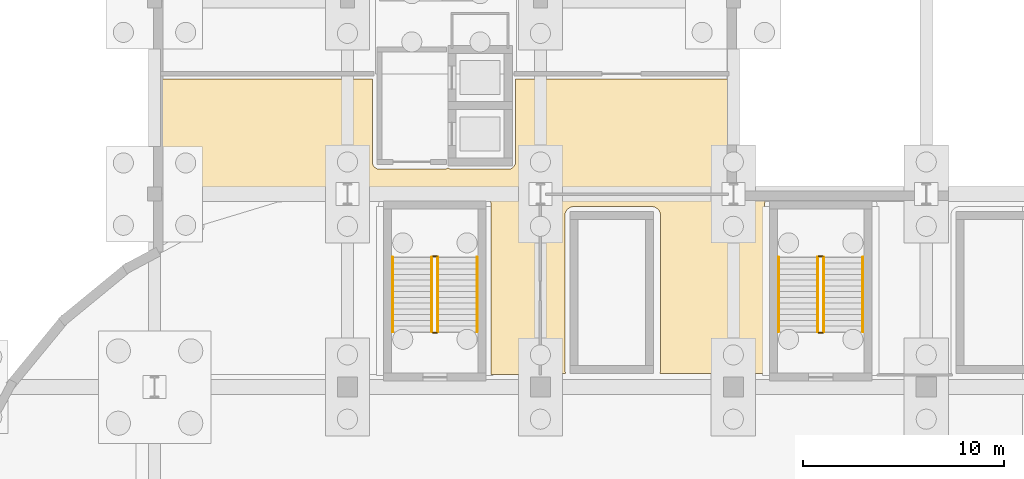
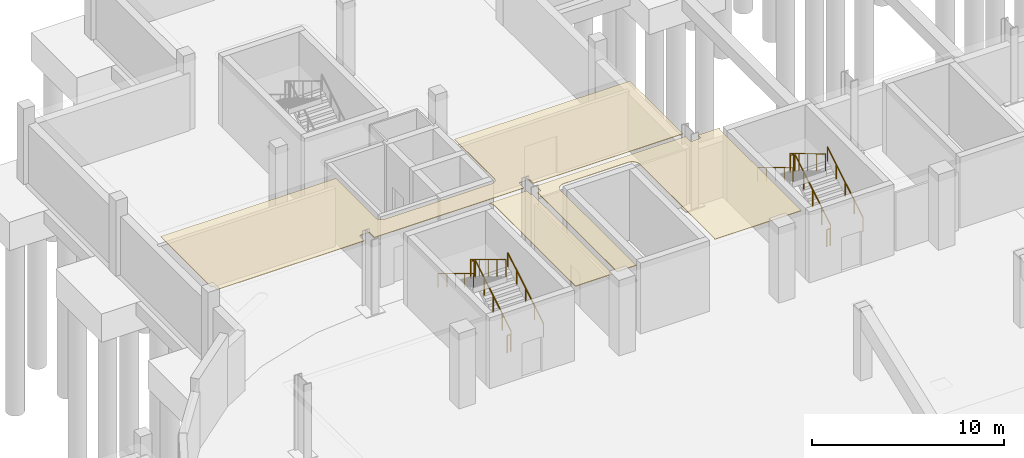
# One storey, part 53 of 67: 12 railings, 3 coverings.
"""IFC4 building model written with IfcOpenShell, lengths in metres."""

import ifcopenshell
import ifcopenshell.guid

model = None  # the IFC model being written
_history = None  # IfcOwnerHistory: only IFC2X3 demands one
_inside = {}  # id of a spatial element -> (the spatial element, [elements in it])
_under = {}  # id of a project, library or spatial element -> (it, [spatial elements below it])
_declared = {}  # id of a project -> (the project, [libraries it declares])
_typed = {}  # id of a type object -> (the type object, [elements of that type])
_made_of = {}  # id of a material, layer set ... -> (it, [elements and type objects made of it])


def new_model(schema):
    """Start an empty IFC model of exactly this schema.

    Asked for "IFC4X3", IfcOpenShell would pick the latest addendum, in which some entities
    have other attributes; the version numbers below select the first issue.
    IFC2X3 requires an IfcOwnerHistory on every rooted entity: one is made here for all.
    """
    global model, _history
    if schema == "IFC4X3":
        model = ifcopenshell.file(schema_version=(4, 3, 0, 0))
    else:
        model = ifcopenshell.file(schema=schema)
    _inside.clear()
    _under.clear()
    _declared.clear()
    _typed.clear()
    _made_of.clear()
    _history = None
    if model.schema == "IFC2X3":
        org = make("IfcOrganization", Name="unknown")
        user = make(
            "IfcPersonAndOrganization",
            ThePerson=make("IfcPerson", FamilyName="unknown"),
            TheOrganization=org,
        )
        app = make(
            "IfcApplication",
            ApplicationDeveloper=org,
            Version="unknown",
            ApplicationFullName="unknown",
            ApplicationIdentifier="unknown",
        )
        _history = make(
            "IfcOwnerHistory",
            OwningUser=user,
            OwningApplication=app,
            ChangeAction="ADDED",
            CreationDate=0,
        )
    return model


def make(cls, **values):
    """One entity of the class cls with the attributes given. An attribute that is None is left unset."""
    return model.create_entity(
        cls, **{name: value for name, value in values.items() if value is not None}
    )


def rooted(cls, **values):
    """An entity with a GlobalId (a new one), such as an element, a storey or a relation."""
    return make(cls, GlobalId=ifcopenshell.guid.new(), OwnerHistory=_history, **values)


def si_unit(unit_type, name, prefix=None):
    """IfcSIUnit, for example si_unit("LENGTHUNIT", "METRE", prefix="MILLI")."""
    return make("IfcSIUnit", UnitType=unit_type, Prefix=prefix, Name=name)


def assignment(units):
    """IfcUnitAssignment: the units of a project."""
    return None if units is None else make("IfcUnitAssignment", Units=units)


def point(xyz):
    """IfcCartesianPoint."""
    return None if xyz is None else make("IfcCartesianPoint", Coordinates=xyz)


def direction(xyz):
    """IfcDirection."""
    return None if xyz is None else make("IfcDirection", DirectionRatios=xyz)


def frame(location, z_axis=None, x_axis=None):
    """IfcAxis2Placement3D, a coordinate frame: its origin and axes. An axis left out is left unset."""
    return make(
        "IfcAxis2Placement3D",
        Location=point(location),
        Axis=direction(z_axis),
        RefDirection=direction(x_axis),
    )


def frame_2d(location, x_axis=None):
    """IfcAxis2Placement2D, a coordinate frame in the plane: its origin and x axis."""
    return make(
        "IfcAxis2Placement2D", Location=point(location), RefDirection=direction(x_axis)
    )


def origin():
    """The frame at (0, 0, 0) with its axes left unset."""
    return frame((0.0, 0.0, 0.0))


def origin_2d():
    """The frame at (0, 0) in the plane with its x axis left unset."""
    return frame_2d((0.0, 0.0))


def place(relative_to, where):
    """IfcLocalPlacement: puts the frame where relative to a parent placement (None: the world)."""
    return make(
        "IfcLocalPlacement", PlacementRelTo=relative_to, RelativePlacement=where
    )


def context(
    kind, dimensions, precision=None, world=None, true_north=None, identifier=None
):
    """IfcGeometricRepresentationContext, for example the 3D "Model" context."""
    return make(
        "IfcGeometricRepresentationContext",
        ContextIdentifier=identifier,
        ContextType=kind,
        CoordinateSpaceDimension=dimensions,
        Precision=precision,
        WorldCoordinateSystem=world,
        TrueNorth=true_north,
    )


def subcontext(parent, identifier, kind, view, scale=None):
    """IfcGeometricRepresentationSubContext, for example "Body" below "Model"."""
    return make(
        "IfcGeometricRepresentationSubContext",
        ContextIdentifier=identifier,
        ContextType=kind,
        ParentContext=parent,
        TargetScale=scale,
        TargetView=view,
    )


def project(units=None, contexts=None):
    """IfcProject with its units and contexts."""
    return rooted(
        "IfcProject",
        Name="project",
        RepresentationContexts=contexts,
        UnitsInContext=assignment(units),
    )


def spatial(cls, under=None, at=None, **own):
    """A site, building, storey or space (cls), placed at a placement, below another one or the project."""
    s = rooted(cls, ObjectPlacement=at, **own)
    if under is not None:
        _under.setdefault(under.id(), (under, []))[1].append(s)
    return s


def polyline(points):
    """IfcPolyline through the points."""
    return make("IfcPolyline", Points=[point(p) for p in points])


def profile(cls, at=None, kind="AREA", **sizes):
    """A parametric profile (cls). Its sizes go by their IFC names, for example OverallWidth=200.0."""
    return make(cls, ProfileType=kind, Position=at, **sizes)


def circle(**sizes):
    """IfcCircleProfileDef."""
    return profile("IfcCircleProfileDef", **sizes)


def outline(outer, holes=None, kind="AREA"):
    """IfcArbitraryClosedProfileDef: a profile drawn as a closed curve; with holes, ...WithVoids."""
    if holes is None:
        return make("IfcArbitraryClosedProfileDef", ProfileType=kind, OuterCurve=outer)
    return make(
        "IfcArbitraryProfileDefWithVoids",
        ProfileType=kind,
        OuterCurve=outer,
        InnerCurves=holes,
    )


def extrude(swept, where, along, depth):
    """IfcExtrudedAreaSolid: the profile swept, set in the frame where, extruded along a direction by depth."""
    return make(
        "IfcExtrudedAreaSolid",
        SweptArea=swept,
        Position=where,
        ExtrudedDirection=direction(along),
        Depth=depth,
    )


def shape(context_of_items, identifier, shape_type, items):
    """IfcShapeRepresentation: the items that make up one representation, for example the "Body"."""
    return make(
        "IfcShapeRepresentation",
        ContextOfItems=context_of_items,
        RepresentationIdentifier=identifier,
        RepresentationType=shape_type,
        Items=items,
    )


def material(Name=None, Category=None):
    """IfcMaterial."""
    return make("IfcMaterial", Name=Name, Category=Category)


def layer(
    of_material, thickness, ventilated=None, Name=None, Category=None, Priority=None
):
    """IfcMaterialLayer: one layer of a wall or slab, of a material (None: an air gap)."""
    return make(
        "IfcMaterialLayer",
        Material=of_material,
        LayerThickness=thickness,
        IsVentilated=ventilated,
        Name=Name,
        Category=Category,
        Priority=Priority,
    )


def layer_set(layers, Name=None):
    """IfcMaterialLayerSet."""
    return make("IfcMaterialLayerSet", MaterialLayers=layers, LayerSetName=Name)


def made_of(thing, what):
    """Note that an element or type object is made of a material, layer set ...; save() writes the relation."""
    if what is not None:
        _made_of.setdefault(what.id(), (what, []))[1].append(thing)
    return thing


def type_object(cls, material=None, **own):
    """A type object (cls), such as IfcWallType, which elements share."""
    return made_of(rooted(cls, **own), material)


def element(
    cls,
    number,
    at=None,
    inside=None,
    cuts=None,
    type_object=None,
    material=None,
    context=None,
    identifier="Body",
    shape_type=None,
    held_by="IfcProductDefinitionShape",
    body=None,
    shapes=None,
    **own,
):
    """One element of the class cls, such as IfcWall. Its Tag is "e" and its number.

    at: its placement. inside: the storey or other place that contains it. cuts: it is an
    opening in that element (IfcRelVoidsElement). A single representation is given by context,
    identifier, shape_type and body (its items); several are given by shapes. held_by: the class
    of the entity that holds the representations. save() writes the other relations.
    """
    e = rooted(cls, Tag="e%d" % number, ObjectPlacement=at, **own)
    if body is not None:
        shapes = [shape(context, identifier, shape_type, body)]
    if shapes is not None:
        e.Representation = make(held_by, Representations=shapes)
    if inside is not None:
        _inside.setdefault(inside.id(), (inside, []))[1].append(e)
    if cuts is not None:
        rooted(
            "IfcRelVoidsElement", RelatingBuildingElement=cuts, RelatedOpeningElement=e
        )
    if type_object is not None:
        _typed.setdefault(type_object.id(), (type_object, []))[1].append(e)
    return made_of(e, material)


def aggregate(whole, parts):
    """IfcRelAggregates: a whole, such as a stair, and the parts it consists of."""
    return rooted("IfcRelAggregates", RelatingObject=whole, RelatedObjects=parts)


def save(model, path):
    """Write the relations noted so far, then the file.

    IfcRelAggregates (storeys below a building ...), IfcRelContainedInSpatialStructure (elements
    in a storey), IfcRelDefinesByType, IfcRelAssociatesMaterial and IfcRelDeclares: one each for
    every whole, place, type object, material and project.
    """
    for whole, parts in _under.values():
        aggregate(whole, parts)
    for where, things in _inside.values():
        rooted(
            "IfcRelContainedInSpatialStructure",
            RelatedElements=things,
            RelatingStructure=where,
        )
    for kind, things in _typed.values():
        rooted("IfcRelDefinesByType", RelatedObjects=things, RelatingType=kind)
    for what, things in _made_of.values():
        rooted("IfcRelAssociatesMaterial", RelatedObjects=things, RelatingMaterial=what)
    for by, libraries in _declared.values():
        rooted("IfcRelDeclares", RelatingContext=by, RelatedDefinitions=libraries)
    model.write(path)


model = new_model("IFC4")

# Units and contexts
model_context = context("Model", 3, precision=1e-05, world=origin(), true_north=direction((0.0, 1.0)))
body_context = subcontext(model_context, "Body", "Model", "MODEL_VIEW")
ifc_project = project(units=[si_unit("LENGTHUNIT", "METRE"), si_unit("AREAUNIT", "SQUARE_METRE"), si_unit("VOLUMEUNIT", "CUBIC_METRE"), si_unit("PLANEANGLEUNIT", "RADIAN"), si_unit("MASSUNIT", "GRAM", prefix="KILO")], contexts=[model_context])

# Site, building, storey
site_placement = place(None, origin())
site = spatial("IfcSite", under=ifc_project, at=site_placement, CompositionType="ELEMENT")
building_placement = place(site_placement, origin())
building = spatial("IfcBuilding", under=site, at=building_placement, Name="Caelomonte Colonnade Arena", CompositionType="ELEMENT")
storey_placement = place(building_placement, frame((0.0, 0.0, -4.800048828125)))
storey = spatial("IfcBuildingStorey", under=building, at=storey_placement, Name="B1", CompositionType="ELEMENT", Elevation=-4.800048828125)

# Coverings
ifc_material_1 = material(Name="Perforated acoustic mineral-fibre ceiling")
ifc_layer = layer(ifc_material_1, 0.0400390625)
ifc_layer_set = layer_set([ifc_layer], Name="Perforated acoustic mineral-fibre ceiling")
covering_type = type_object("IfcCoveringType", Name="INT-CV-CEIL1", PredefinedType="CEILING", material=ifc_layer_set)
covering_1_placement = place(storey_placement, frame((0.0, 0.0, 4.420166015625)))
element("IfcCovering", 1, at=covering_1_placement, inside=storey, type_object=covering_type, Name="B1 Backstage Rigging Staging acoustic ceiling", PredefinedType="CEILING", context=body_context, shape_type="SweptSolid", body=[
    extrude(outline(polyline([(86.47998046875, 106.280029296875), (87.66259765625, 106.280029296875), (87.654296875, 106.2978515625), (87.639404296875, 106.33935546875), (87.628662109375, 106.382080078125), (87.622314453125, 106.42578125), (87.6201171875, 106.469970703125), (87.6201171875, 114.1298828125), (87.622314453125, 114.174072265625), (87.628662109375, 114.2177734375), (87.639404296875, 114.260498046875), (87.654296875, 114.30224609375), (87.673095703125, 114.342041015625), (87.69580078125, 114.3798828125), (87.72216796875, 114.41552734375), (87.751708984375, 114.4482421875), (87.784423828125, 114.477783203125), (87.820068359375, 114.504150390625), (87.85791015625, 114.52685546875), (87.897705078125, 114.545654296875), (87.939453125, 114.560546875), (87.982177734375, 114.5712890625), (88.02587890625, 114.577880859375), (88.070068359375, 114.580078125), (91.830078125, 114.580078125), (91.929931640625, 114.580078125), (91.97412109375, 114.577880859375), (92.017822265625, 114.5712890625), (92.060546875, 114.560546875), (92.102294921875, 114.545654296875), (92.14208984375, 114.52685546875), (92.179931640625, 114.504150390625), (92.215576171875, 114.477783203125), (92.248291015625, 114.4482421875), (92.27783203125, 114.41552734375), (92.30419921875, 114.3798828125), (92.326904296875, 114.342041015625), (92.345703125, 114.30224609375), (92.360595703125, 114.260498046875), (92.371337890625, 114.2177734375), (92.377685546875, 114.174072265625), (92.3798828125, 114.1298828125), (92.3798828125, 106.469970703125), (92.377685546875, 106.42578125), (92.371337890625, 106.382080078125), (92.360595703125, 106.33935546875), (92.345703125, 106.2978515625), (92.33740234375, 106.280029296875), (97.550048828125, 106.280029296875), (97.550048828125, 114.64990234375), (97.55224609375, 114.694091796875), (97.55859375, 114.73779296875), (97.5693359375, 114.780517578125), (97.584228515625, 114.822265625), (97.60302734375, 114.862060546875), (97.625732421875, 114.89990234375), (96.30859375, 114.89990234375), (96.30859375, 114.664306640625), (96.30810546875, 114.656494140625), (96.306884765625, 114.648681640625), (96.30517578125, 114.64111328125), (96.302490234375, 114.6337890625), (96.299072265625, 114.626708984375), (96.294921875, 114.619873046875), (96.290283203125, 114.613525390625), (96.28515625, 114.607666015625), (96.279296875, 114.6025390625), (96.27294921875, 114.597900390625), (96.26611328125, 114.59375), (96.259033203125, 114.59033203125), (96.251708984375, 114.587646484375), (96.244140625, 114.585693359375), (96.236328125, 114.584716796875), (96.228515625, 114.584228515625), (95.771484375, 114.584228515625), (95.763671875, 114.584716796875), (95.755859375, 114.585693359375), (95.748291015625, 114.587646484375), (95.740966796875, 114.59033203125), (95.73388671875, 114.59375), (95.72705078125, 114.597900390625), (95.720703125, 114.6025390625), (95.71484375, 114.607666015625), (95.709716796875, 114.613525390625), (95.705078125, 114.619873046875), (95.700927734375, 114.626708984375), (95.697509765625, 114.6337890625), (95.69482421875, 114.64111328125), (95.693115234375, 114.648681640625), (95.69189453125, 114.656494140625), (95.69140625, 114.664306640625), (95.69140625, 115.1201171875), (86.70849609375, 115.1201171875), (86.70849609375, 114.664306640625), (86.7080078125, 114.656494140625), (86.70703125, 114.648681640625), (86.705078125, 114.64111328125), (86.702392578125, 114.6337890625), (86.69921875, 114.626708984375), (86.695068359375, 114.619873046875), (86.690185546875, 114.613525390625), (86.68505859375, 114.607666015625), (86.67919921875, 114.6025390625), (86.6728515625, 114.597900390625), (86.666259765625, 114.59375), (86.6591796875, 114.59033203125), (86.651611328125, 114.587646484375), (86.64404296875, 114.585693359375), (86.63623046875, 114.584716796875), (86.62841796875, 114.584228515625), (86.47998046875, 114.584228515625), (86.47998046875, 106.280029296875)])), origin(), (0.0, 0.0, 1.0), 0.039794921875),
])
covering_2_placement = place(storey_placement, frame((0.0, 0.0, 4.420166015625)))
element("IfcCovering", 2, at=covering_2_placement, inside=storey, type_object=covering_type, Name="B1 North Service Concourse acoustic ceiling", PredefinedType="CEILING", context=body_context, shape_type="SweptSolid", body=[
    extrude(outline(polyline([(67.5, 120.919921875), (67.5, 115.64501953125), (67.56494140625, 115.64501953125), (67.57275390625, 115.64453125), (67.58056640625, 115.6435546875), (67.588134765625, 115.6416015625), (67.595703125, 115.638916015625), (67.602783203125, 115.635498046875), (67.609375, 115.631591796875), (67.61572265625, 115.626708984375), (67.62158203125, 115.62158203125), (67.626708984375, 115.61572265625), (67.631591796875, 115.609375), (67.635498046875, 115.602783203125), (67.638916015625, 115.595703125), (67.6416015625, 115.588134765625), (67.6435546875, 115.58056640625), (67.64453125, 115.57275390625), (67.64501953125, 115.56494140625), (67.64501953125, 115.280029296875), (76.491455078125, 115.280029296875), (76.491455078125, 115.735595703125), (76.491943359375, 115.743408203125), (76.492919921875, 115.751220703125), (76.494873046875, 115.7587890625), (76.49755859375, 115.766357421875), (76.5009765625, 115.7734375), (76.5048828125, 115.780029296875), (76.509765625, 115.78662109375), (76.514892578125, 115.792236328125), (76.520751953125, 115.797607421875), (76.527099609375, 115.80224609375), (76.53369140625, 115.806396484375), (76.541015625, 115.8095703125), (76.54833984375, 115.812255859375), (76.555908203125, 115.814208984375), (76.563720703125, 115.815185546875), (76.571533203125, 115.815673828125), (77.028564453125, 115.815673828125), (77.036376953125, 115.815185546875), (77.044189453125, 115.814208984375), (77.0517578125, 115.812255859375), (77.05908203125, 115.8095703125), (77.066162109375, 115.806396484375), (77.072998046875, 115.80224609375), (77.079345703125, 115.797607421875), (77.085205078125, 115.792236328125), (77.09033203125, 115.78662109375), (77.094970703125, 115.780029296875), (77.09912109375, 115.7734375), (77.102294921875, 115.766357421875), (77.10498046875, 115.7587890625), (77.10693359375, 115.751220703125), (77.108154296875, 115.743408203125), (77.1083984375, 115.735595703125), (77.1083984375, 115.280029296875), (86.091552734375, 115.280029296875), (86.091552734375, 115.735595703125), (86.091796875, 115.743408203125), (86.093017578125, 115.751220703125), (86.094970703125, 115.7587890625), (86.09765625, 115.766357421875), (86.100830078125, 115.7734375), (86.10498046875, 115.780029296875), (86.109619140625, 115.78662109375), (86.114990234375, 115.792236328125), (86.12060546875, 115.797607421875), (86.127197265625, 115.80224609375), (86.1337890625, 115.806396484375), (86.140869140625, 115.8095703125), (86.148193359375, 115.812255859375), (86.156005859375, 115.814208984375), (86.163818359375, 115.815185546875), (86.17138671875, 115.815673828125), (86.62841796875, 115.815673828125), (86.63623046875, 115.815185546875), (86.64404296875, 115.814208984375), (86.651611328125, 115.812255859375), (86.6591796875, 115.8095703125), (86.666259765625, 115.806396484375), (86.6728515625, 115.80224609375), (86.67919921875, 115.797607421875), (86.68505859375, 115.792236328125), (86.690185546875, 115.78662109375), (86.695068359375, 115.780029296875), (86.69921875, 115.7734375), (86.702392578125, 115.766357421875), (86.705078125, 115.7587890625), (86.70703125, 115.751220703125), (86.7080078125, 115.743408203125), (86.70849609375, 115.735595703125), (86.70849609375, 115.39990234375), (95.69140625, 115.39990234375), (95.69140625, 115.735595703125), (95.69189453125, 115.743408203125), (95.693115234375, 115.751220703125), (95.69482421875, 115.7587890625), (95.697509765625, 115.766357421875), (95.699951171875, 115.771484375), (95.699951171875, 120.919921875), (85.159912109375, 120.919921875), (85.159912109375, 116.800048828125), (85.159912109375, 116.796142578125), (85.15869140625, 116.7685546875), (85.15771484375, 116.7607421875), (85.15380859375, 116.733642578125), (85.152099609375, 116.725830078125), (85.1455078125, 116.69921875), (85.143310546875, 116.69189453125), (85.134033203125, 116.666015625), (85.131103515625, 116.65869140625), (85.119384765625, 116.6337890625), (85.115478515625, 116.626953125), (85.101318359375, 116.603271484375), (85.09716796875, 116.5966796875), (85.080810546875, 116.57470703125), (85.07568359375, 116.568603515625), (85.057373046875, 116.54833984375), (85.0517578125, 116.542724609375), (85.031494140625, 116.5244140625), (85.025390625, 116.519287109375), (85.003173828125, 116.5029296875), (84.99658203125, 116.49853515625), (84.97314453125, 116.484375), (84.96630859375, 116.480712890625), (84.94140625, 116.468994140625), (84.93408203125, 116.466064453125), (84.908203125, 116.456787109375), (84.900634765625, 116.45458984375), (84.8740234375, 116.44775390625), (84.866455078125, 116.4462890625), (84.839111328125, 116.442138671875), (84.831298828125, 116.44140625), (84.803955078125, 116.440185546875), (84.800048828125, 116.43994140625), (82.0, 116.43994140625), (81.99609375, 116.440185546875), (81.968505859375, 116.44140625), (81.960693359375, 116.442138671875), (81.93359375, 116.4462890625), (81.92578125, 116.44775390625), (81.8994140625, 116.45458984375), (81.891845703125, 116.456787109375), (81.865966796875, 116.466064453125), (81.858642578125, 116.468994140625), (81.833740234375, 116.480712890625), (81.826904296875, 116.484375), (81.80322265625, 116.49853515625), (81.800048828125, 116.500732421875), (81.796630859375, 116.49853515625), (81.773193359375, 116.484375), (81.76611328125, 116.480712890625), (81.741455078125, 116.468994140625), (81.734130859375, 116.466064453125), (81.708251953125, 116.456787109375), (81.70068359375, 116.45458984375), (81.674072265625, 116.44775390625), (81.66650390625, 116.4462890625), (81.63916015625, 116.442138671875), (81.63134765625, 116.44140625), (81.60400390625, 116.440185546875), (81.60009765625, 116.43994140625), (78.39990234375, 116.43994140625), (78.39599609375, 116.440185546875), (78.36865234375, 116.44140625), (78.36083984375, 116.442138671875), (78.33349609375, 116.4462890625), (78.325927734375, 116.44775390625), (78.29931640625, 116.45458984375), (78.291748046875, 116.456787109375), (78.265869140625, 116.466064453125), (78.258544921875, 116.468994140625), (78.23388671875, 116.480712890625), (78.226806640625, 116.484375), (78.203369140625, 116.49853515625), (78.19677734375, 116.5029296875), (78.1748046875, 116.519287109375), (78.168701171875, 116.5244140625), (78.148193359375, 116.542724609375), (78.142578125, 116.54833984375), (78.124267578125, 116.568603515625), (78.119384765625, 116.57470703125), (78.102783203125, 116.5966796875), (78.0986328125, 116.603271484375), (78.08447265625, 116.626953125), (78.080810546875, 116.6337890625), (78.069091796875, 116.65869140625), (78.06591796875, 116.666015625), (78.056640625, 116.69189453125), (78.054443359375, 116.69921875), (78.0478515625, 116.725830078125), (78.046142578125, 116.733642578125), (78.042236328125, 116.7607421875), (78.04150390625, 116.7685546875), (78.0400390625, 116.796142578125), (78.0400390625, 116.800048828125), (78.0400390625, 120.919921875), (67.5, 120.919921875)])), origin(), (0.0, 0.0, 1.0), 0.039794921875),
])
covering_3_placement = place(storey_placement, frame((0.0, 0.0, 4.420166015625)))
element("IfcCovering", 3, at=covering_3_placement, inside=storey, type_object=covering_type, Name="B1 B1 Concourse Gallery acoustic ceiling", PredefinedType="CEILING", context=body_context, shape_type="SweptSolid", body=[
    extrude(outline(polyline([(86.091552734375, 114.97998046875), (83.80517578125, 114.97998046875), (83.818115234375, 114.96826171875), (83.847900390625, 114.935546875), (83.874267578125, 114.89990234375), (83.89697265625, 114.862060546875), (83.915771484375, 114.822265625), (83.9306640625, 114.780517578125), (83.94140625, 114.73779296875), (83.94775390625, 114.694091796875), (83.949951171875, 114.64990234375), (83.949951171875, 106.219970703125), (85.885009765625, 106.219970703125), (85.886962890625, 106.219970703125), (85.887939453125, 106.219970703125), (85.889892578125, 106.219970703125), (85.901611328125, 106.21923828125), (85.905517578125, 106.218994140625), (85.907470703125, 106.21875), (85.911376953125, 106.21826171875), (85.923095703125, 106.216552734375), (85.927001953125, 106.2158203125), (85.928955078125, 106.215576171875), (85.9326171875, 106.214599609375), (85.944091796875, 106.2119140625), (85.947998046875, 106.210693359375), (85.94970703125, 106.210205078125), (85.95361328125, 106.208984375), (85.964599609375, 106.205078125), (85.96826171875, 106.20361328125), (85.97021484375, 106.202880859375), (85.9736328125, 106.201416015625), (85.984375, 106.1962890625), (85.98681640625, 106.195068359375), (86.18017578125, 106.195068359375), (86.18017578125, 106.195068359375), (86.179931640625, 106.197021484375), (86.179931640625, 106.197998046875), (86.179931640625, 106.199951171875), (86.179931640625, 114.584228515625), (86.17138671875, 114.584228515625), (86.163818359375, 114.584716796875), (86.156005859375, 114.585693359375), (86.148193359375, 114.587646484375), (86.140869140625, 114.59033203125), (86.1337890625, 114.59375), (86.127197265625, 114.597900390625), (86.12060546875, 114.6025390625), (86.114990234375, 114.607666015625), (86.109619140625, 114.613525390625), (86.10498046875, 114.619873046875), (86.100830078125, 114.626708984375), (86.09765625, 114.6337890625), (86.094970703125, 114.64111328125), (86.093017578125, 114.648681640625), (86.091796875, 114.656494140625), (86.091552734375, 114.664306640625), (86.091552734375, 114.97998046875)])), origin(), (0.0, 0.0, 1.0), 0.039794921875),
])

# Railings
ifc_material_2 = material(Name="Painted galvanized steel stair guard", Category="steel")
railing_type_1 = type_object("IfcRailingType", Name="INT-RL-GRD", PredefinedType="GUARDRAIL", material=ifc_material_2)
railing_1_placement = place(storey_placement, frame((81.300048828125, 108.35009765625, 0.17138671875)))
element("IfcRailing", 4, at=railing_1_placement, inside=storey, type_object=railing_type_1, Name="B1 ST-14 stair guard 1", PredefinedType="GUARDRAIL", context=body_context, shape_type="SweptSolid", body=[
    extrude(circle(Radius=0.02392578125, at=origin_2d()), frame((0.0, 0.0, 1.076171875), z_axis=(0.0, 0.856894455432, 0.515491893485), x_axis=(-1.0, 0.0, 0.0)), (0.0, 0.0, 1.0), 4.323486328125),
    extrude(circle(Radius=0.02099609375, at=origin_2d()), origin(), (0.0, 0.0, 1.0), 1.048095703125),
    extrude(circle(Radius=0.02099609375, at=origin_2d()), frame((0.0, 0.92626953125, 0.55712890625)), (0.0, 0.0, 1.0), 1.048095703125),
    extrude(circle(Radius=0.02099609375, at=origin_2d()), frame((0.0, 1.8525390625, 1.1142578125)), (0.0, 0.0, 1.0), 1.048095703125),
    extrude(circle(Radius=0.02099609375, at=origin_2d()), frame((0.0, 2.778564453125, 1.671630859375)), (0.0, 0.0, 1.0), 1.048095703125),
    extrude(circle(Radius=0.02099609375, at=origin_2d()), frame((0.0, 3.704833984375, 2.228759765625)), (0.0, 0.0, 1.0), 1.048095703125),
])
railing_2_placement = place(storey_placement, frame((81.25, 112.10498046875, 2.400146484375)))
element("IfcRailing", 5, at=railing_2_placement, inside=storey, type_object=railing_type_1, Name="B1 ST-14 stair guard 2", PredefinedType="GUARDRAIL", context=body_context, shape_type="SweptSolid", body=[
    extrude(circle(Radius=0.02392578125, at=origin_2d()), frame((0.0, 0.0, 1.076171875), z_axis=(-1.0, 0.0, 0.0), x_axis=(0.0, -1.0, 0.0)), (0.0, 0.0, 1.0), 0.199951171875),
    extrude(circle(Radius=0.02099609375, at=origin_2d()), origin(), (0.0, 0.0, 1.0), 1.048095703125),
    extrude(circle(Radius=0.02099609375, at=origin_2d()), frame((-0.199951171875, 0.0, 0.0)), (0.0, 0.0, 1.0), 1.048095703125),
])
railing_3_placement = place(storey_placement, frame((81.0, 112.054931640625, 2.571533203125)))
element("IfcRailing", 6, at=railing_3_placement, inside=storey, type_object=railing_type_1, Name="B1 ST-14 stair guard 3", PredefinedType="GUARDRAIL", context=body_context, shape_type="SweptSolid", body=[
    extrude(circle(Radius=0.02392578125, at=origin_2d()), frame((0.0, 0.0, 1.076171875), z_axis=(0.0, -0.856919398105, 0.515450429384), x_axis=(1.0, 0.0, 0.0)), (0.0, 0.0, 1.0), 4.323486328125),
    extrude(circle(Radius=0.02099609375, at=origin_2d()), origin(), (0.0, 0.0, 1.0), 1.048095703125),
    extrude(circle(Radius=0.02099609375, at=origin_2d()), frame((0.0, -0.92626953125, 0.55712890625)), (0.0, 0.0, 1.0), 1.048095703125),
    extrude(circle(Radius=0.02099609375, at=origin_2d()), frame((0.0, -1.8525390625, 1.1142578125)), (0.0, 0.0, 1.0), 1.048095703125),
    extrude(circle(Radius=0.02099609375, at=origin_2d()), frame((0.0, -2.778564453125, 1.67138671875)), (0.0, 0.0, 1.0), 1.048095703125),
    extrude(circle(Radius=0.02099609375, at=origin_2d()), frame((0.0, -3.704833984375, 2.228515625)), (0.0, 0.0, 1.0), 1.048095703125),
])
railing_4_placement = place(storey_placement, frame((81.25, 108.300048828125, 0.0)))
element("IfcRailing", 7, at=railing_4_placement, inside=storey, type_object=railing_type_1, Name="B1 ST-14 stair guard 4", PredefinedType="GUARDRAIL", context=body_context, shape_type="SweptSolid", body=[
    extrude(circle(Radius=0.02392578125, at=origin_2d()), frame((0.0, 0.0, 1.076171875), z_axis=(-1.0, 0.0, 0.0), x_axis=(0.0, -1.0, 0.0)), (0.0, 0.0, 1.0), 0.199951171875),
    extrude(circle(Radius=0.02099609375, at=origin_2d()), origin(), (0.0, 0.0, 1.0), 1.048095703125),
    extrude(circle(Radius=0.02099609375, at=origin_2d()), frame((-0.199951171875, 0.0, 0.0)), (0.0, 0.0, 1.0), 1.048095703125),
])
railing_5_placement = place(storey_placement, frame((100.5, 108.35009765625, 0.17138671875)))
element("IfcRailing", 8, at=railing_5_placement, inside=storey, type_object=railing_type_1, Name="B1 ST-15 stair guard 1", PredefinedType="GUARDRAIL", context=body_context, shape_type="SweptSolid", body=[
    extrude(circle(Radius=0.02392578125, at=origin_2d()), frame((0.0, 0.0, 1.076171875), z_axis=(0.0, 0.856894455432, 0.515491893485), x_axis=(-1.0, 0.0, 0.0)), (0.0, 0.0, 1.0), 4.323486328125),
    extrude(circle(Radius=0.02099609375, at=origin_2d()), origin(), (0.0, 0.0, 1.0), 1.048095703125),
    extrude(circle(Radius=0.02099609375, at=origin_2d()), frame((0.0, 0.92626953125, 0.55712890625)), (0.0, 0.0, 1.0), 1.048095703125),
    extrude(circle(Radius=0.02099609375, at=origin_2d()), frame((0.0, 1.8525390625, 1.1142578125)), (0.0, 0.0, 1.0), 1.048095703125),
    extrude(circle(Radius=0.02099609375, at=origin_2d()), frame((0.0, 2.778564453125, 1.671630859375)), (0.0, 0.0, 1.0), 1.048095703125),
    extrude(circle(Radius=0.02099609375, at=origin_2d()), frame((0.0, 3.704833984375, 2.228759765625)), (0.0, 0.0, 1.0), 1.048095703125),
])
railing_6_placement = place(storey_placement, frame((100.449951171875, 112.10498046875, 2.400146484375)))
element("IfcRailing", 9, at=railing_6_placement, inside=storey, type_object=railing_type_1, Name="B1 ST-15 stair guard 2", PredefinedType="GUARDRAIL", context=body_context, shape_type="SweptSolid", body=[
    extrude(circle(Radius=0.02392578125, at=origin_2d()), frame((0.0, 0.0, 1.076171875), z_axis=(-1.0, 0.0, 0.0), x_axis=(0.0, -1.0, 0.0)), (0.0, 0.0, 1.0), 0.199951171875),
    extrude(circle(Radius=0.02099609375, at=origin_2d()), origin(), (0.0, 0.0, 1.0), 1.048095703125),
    extrude(circle(Radius=0.02099609375, at=origin_2d()), frame((-0.199951171875, 0.0, 0.0)), (0.0, 0.0, 1.0), 1.048095703125),
])
railing_7_placement = place(storey_placement, frame((100.199951171875, 112.054931640625, 2.571533203125)))
element("IfcRailing", 10, at=railing_7_placement, inside=storey, type_object=railing_type_1, Name="B1 ST-15 stair guard 3", PredefinedType="GUARDRAIL", context=body_context, shape_type="SweptSolid", body=[
    extrude(circle(Radius=0.02392578125, at=origin_2d()), frame((0.0, 0.0, 1.076171875), z_axis=(0.0, -0.856919398105, 0.515450429384), x_axis=(1.0, 0.0, 0.0)), (0.0, 0.0, 1.0), 4.323486328125),
    extrude(circle(Radius=0.02099609375, at=origin_2d()), origin(), (0.0, 0.0, 1.0), 1.048095703125),
    extrude(circle(Radius=0.02099609375, at=origin_2d()), frame((0.0, -0.92626953125, 0.55712890625)), (0.0, 0.0, 1.0), 1.048095703125),
    extrude(circle(Radius=0.02099609375, at=origin_2d()), frame((0.0, -1.8525390625, 1.1142578125)), (0.0, 0.0, 1.0), 1.048095703125),
    extrude(circle(Radius=0.02099609375, at=origin_2d()), frame((0.0, -2.778564453125, 1.67138671875)), (0.0, 0.0, 1.0), 1.048095703125),
    extrude(circle(Radius=0.02099609375, at=origin_2d()), frame((0.0, -3.704833984375, 2.228515625)), (0.0, 0.0, 1.0), 1.048095703125),
])
railing_8_placement = place(storey_placement, frame((100.449951171875, 108.300048828125, 0.0)))
element("IfcRailing", 11, at=railing_8_placement, inside=storey, type_object=railing_type_1, Name="B1 ST-15 stair guard 4", PredefinedType="GUARDRAIL", context=body_context, shape_type="SweptSolid", body=[
    extrude(circle(Radius=0.02392578125, at=origin_2d()), frame((0.0, 0.0, 1.076171875), z_axis=(-1.0, 0.0, 0.0), x_axis=(0.0, -1.0, 0.0)), (0.0, 0.0, 1.0), 0.199951171875),
    extrude(circle(Radius=0.02099609375, at=origin_2d()), origin(), (0.0, 0.0, 1.0), 1.048095703125),
    extrude(circle(Radius=0.02099609375, at=origin_2d()), frame((-0.199951171875, 0.0, 0.0)), (0.0, 0.0, 1.0), 1.048095703125),
])
ifc_material_3 = material(Name="Brushed stainless steel stair handrail", Category="steel")
railing_type_2 = type_object("IfcRailingType", Name="INT-RL-HR", PredefinedType="HANDRAIL", material=ifc_material_3)
railing_9_placement = place(storey_placement, frame((83.25, 108.35009765625, 0.17138671875)))
element("IfcRailing", 12, at=railing_9_placement, inside=storey, type_object=railing_type_2, Name="B1 ST-14 stair handrail 1", PredefinedType="HANDRAIL", context=body_context, shape_type="SweptSolid", body=[
    extrude(circle(Radius=0.02392578125, at=origin_2d()), frame((0.0, 0.0, 0.8759765625), z_axis=(0.0, 0.856894455432, 0.515491893485), x_axis=(-1.0, 0.0, 0.0)), (0.0, 0.0, 1.0), 4.323486328125),
    extrude(circle(Radius=0.02099609375, at=origin_2d()), origin(), (0.0, 0.0, 1.0), 0.847900390625),
    extrude(circle(Radius=0.02099609375, at=origin_2d()), frame((0.0, 0.92626953125, 0.55712890625)), (0.0, 0.0, 1.0), 0.847900390625),
    extrude(circle(Radius=0.02099609375, at=origin_2d()), frame((0.0, 1.8525390625, 1.1142578125)), (0.0, 0.0, 1.0), 0.847900390625),
    extrude(circle(Radius=0.02099609375, at=origin_2d()), frame((0.0, 2.778564453125, 1.671630859375)), (0.0, 0.0, 1.0), 0.847900390625),
    extrude(circle(Radius=0.02099609375, at=origin_2d()), frame((0.0, 3.704833984375, 2.228759765625)), (0.0, 0.0, 1.0), 0.847900390625),
])
railing_10_placement = place(storey_placement, frame((79.050048828125, 112.054931640625, 2.571533203125)))
element("IfcRailing", 13, at=railing_10_placement, inside=storey, type_object=railing_type_2, Name="B1 ST-14 stair handrail 2", PredefinedType="HANDRAIL", context=body_context, shape_type="SweptSolid", body=[
    extrude(circle(Radius=0.02392578125, at=origin_2d()), frame((0.0, 0.0, 0.8759765625), z_axis=(0.0, -0.856919398105, 0.515450429384), x_axis=(1.0, 0.0, 0.0)), (0.0, 0.0, 1.0), 4.323486328125),
    extrude(circle(Radius=0.02099609375, at=origin_2d()), origin(), (0.0, 0.0, 1.0), 0.847900390625),
    extrude(circle(Radius=0.02099609375, at=origin_2d()), frame((0.0, -0.92626953125, 0.55712890625)), (0.0, 0.0, 1.0), 0.847900390625),
    extrude(circle(Radius=0.02099609375, at=origin_2d()), frame((0.0, -1.8525390625, 1.1142578125)), (0.0, 0.0, 1.0), 0.847900390625),
    extrude(circle(Radius=0.02099609375, at=origin_2d()), frame((0.0, -2.778564453125, 1.67138671875)), (0.0, 0.0, 1.0), 0.847900390625),
    extrude(circle(Radius=0.02099609375, at=origin_2d()), frame((0.0, -3.704833984375, 2.228515625)), (0.0, 0.0, 1.0), 0.847900390625),
])
railing_11_placement = place(storey_placement, frame((102.449951171875, 108.35009765625, 0.17138671875)))
element("IfcRailing", 14, at=railing_11_placement, inside=storey, type_object=railing_type_2, Name="B1 ST-15 stair handrail 1", PredefinedType="HANDRAIL", context=body_context, shape_type="SweptSolid", body=[
    extrude(circle(Radius=0.02392578125, at=origin_2d()), frame((0.0, 0.0, 0.8759765625), z_axis=(0.0, 0.856894455432, 0.515491893485), x_axis=(-1.0, 0.0, 0.0)), (0.0, 0.0, 1.0), 4.323486328125),
    extrude(circle(Radius=0.02099609375, at=origin_2d()), origin(), (0.0, 0.0, 1.0), 0.847900390625),
    extrude(circle(Radius=0.02099609375, at=origin_2d()), frame((0.0, 0.92626953125, 0.55712890625)), (0.0, 0.0, 1.0), 0.847900390625),
    extrude(circle(Radius=0.02099609375, at=origin_2d()), frame((0.0, 1.8525390625, 1.1142578125)), (0.0, 0.0, 1.0), 0.847900390625),
    extrude(circle(Radius=0.02099609375, at=origin_2d()), frame((0.0, 2.778564453125, 1.671630859375)), (0.0, 0.0, 1.0), 0.847900390625),
    extrude(circle(Radius=0.02099609375, at=origin_2d()), frame((0.0, 3.704833984375, 2.228759765625)), (0.0, 0.0, 1.0), 0.847900390625),
])
railing_12_placement = place(storey_placement, frame((98.25, 112.054931640625, 2.571533203125)))
element("IfcRailing", 15, at=railing_12_placement, inside=storey, type_object=railing_type_2, Name="B1 ST-15 stair handrail 2", PredefinedType="HANDRAIL", context=body_context, shape_type="SweptSolid", body=[
    extrude(circle(Radius=0.02392578125, at=origin_2d()), frame((0.0, 0.0, 0.8759765625), z_axis=(0.0, -0.856919398105, 0.515450429384), x_axis=(1.0, 0.0, 0.0)), (0.0, 0.0, 1.0), 4.323486328125),
    extrude(circle(Radius=0.02099609375, at=origin_2d()), origin(), (0.0, 0.0, 1.0), 0.847900390625),
    extrude(circle(Radius=0.02099609375, at=origin_2d()), frame((0.0, -0.92626953125, 0.55712890625)), (0.0, 0.0, 1.0), 0.847900390625),
    extrude(circle(Radius=0.02099609375, at=origin_2d()), frame((0.0, -1.8525390625, 1.1142578125)), (0.0, 0.0, 1.0), 0.847900390625),
    extrude(circle(Radius=0.02099609375, at=origin_2d()), frame((0.0, -2.778564453125, 1.67138671875)), (0.0, 0.0, 1.0), 0.847900390625),
    extrude(circle(Radius=0.02099609375, at=origin_2d()), frame((0.0, -3.704833984375, 2.228515625)), (0.0, 0.0, 1.0), 0.847900390625),
])

save(model, "model.ifc")
